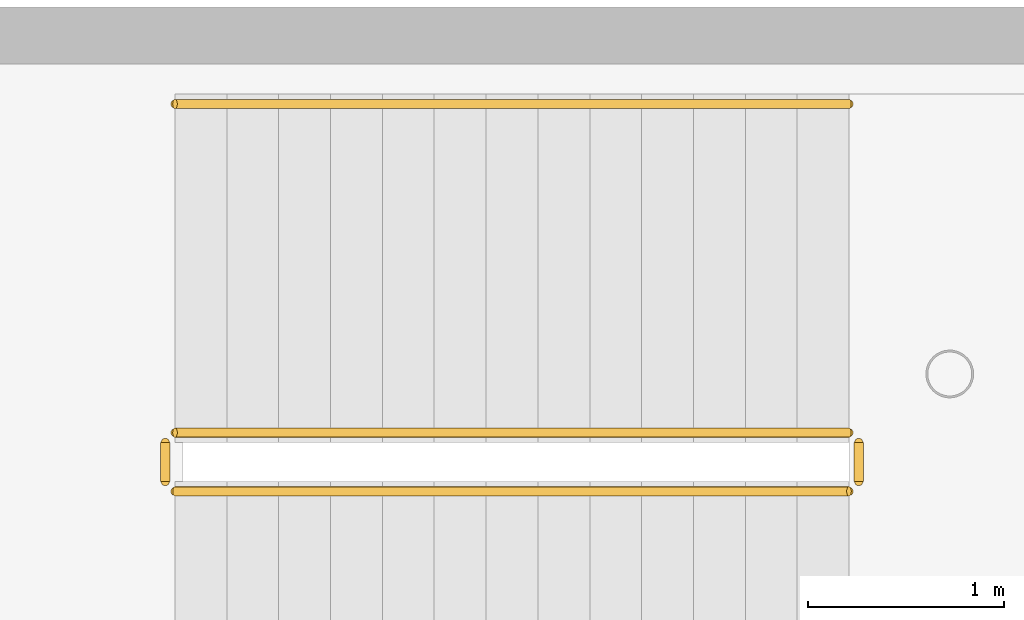
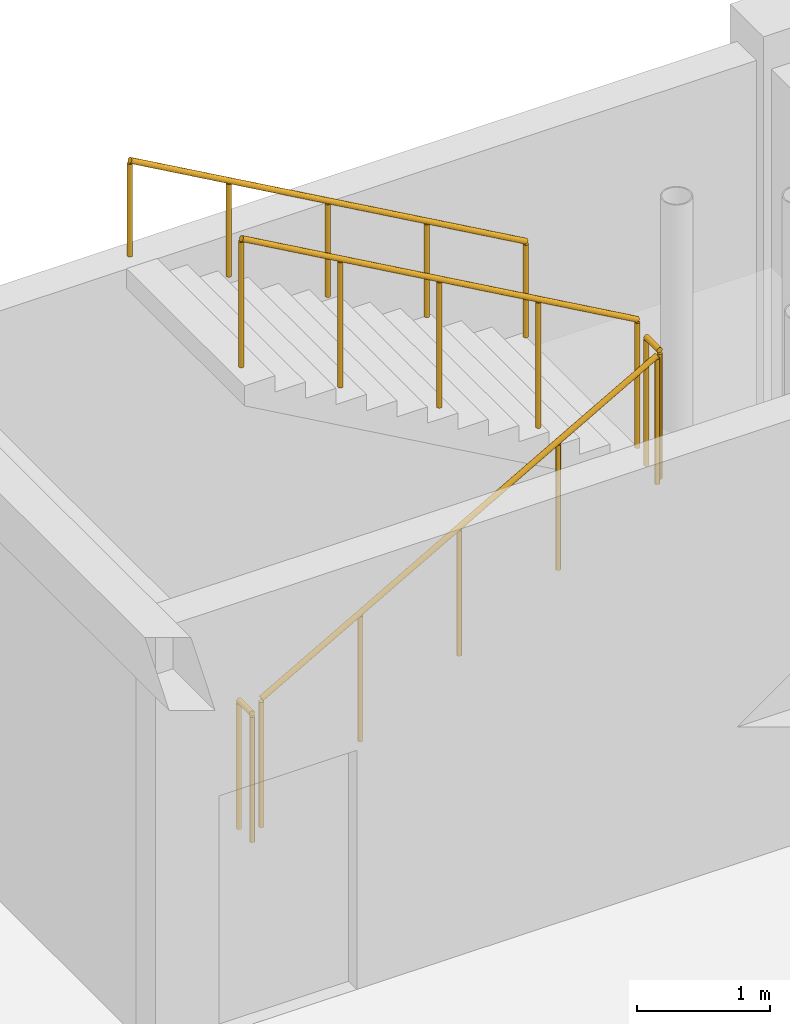
# One storey, part 115 of 121: 5 railings.
"""IFC4 building model written with IfcOpenShell, lengths in metres."""

from ifc_helpers import new_model, si_unit, direction, frame, origin, origin_2d, place, context, subcontext, project, spatial, circle, extrude, material, type_object, element, save


model = new_model("IFC4")

# Units and contexts
model_context = context("Model", 3, precision=1e-05, world=origin(), true_north=direction((0.0, 1.0)))
body_context = subcontext(model_context, "Body", "Model", "MODEL_VIEW")
ifc_project = project(units=[si_unit("LENGTHUNIT", "METRE"), si_unit("AREAUNIT", "SQUARE_METRE"), si_unit("VOLUMEUNIT", "CUBIC_METRE"), si_unit("PLANEANGLEUNIT", "RADIAN"), si_unit("MASSUNIT", "GRAM", prefix="KILO")], contexts=[model_context])

# Site, building, storey
site_placement = place(None, origin())
site = spatial("IfcSite", under=ifc_project, at=site_placement, CompositionType="ELEMENT")
building_placement = place(site_placement, origin())
building = spatial("IfcBuilding", under=site, at=building_placement, Name="Kharva Crest Polytechnic", CompositionType="ELEMENT")
storey_placement = place(building_placement, frame((0.0, 0.0, 13.199951171875)))
storey = spatial("IfcBuildingStorey", under=building, at=storey_placement, Name="L03", CompositionType="ELEMENT", Elevation=13.199951171875)

# Railings
ifc_material_1 = material(Name="Anodised aluminium", Category="aluminium")
railing_type_1 = type_object("IfcRailingType", Name="RL-STAIR-GUARD-1200", PredefinedType="GUARDRAIL", material=ifc_material_1)
railing_1_placement = place(storey_placement, frame((58.090087890625, 119.669921875, 0.150146484375)))
element("IfcRailing", 1, at=railing_1_placement, inside=storey, type_object=railing_type_1, Name="L03 ST-03 stair guard 1", PredefinedType="GUARDRAIL", context=body_context, shape_type="SweptSolid", body=[
    extrude(circle(Radius=0.02392578125, at=origin_2d()), frame((0.0, 0.0, 1.17578125), z_axis=(0.870251367514, 0.0, 0.492607914411), x_axis=(0.0, 1.0, 0.0)), (0.0, 0.0, 1.0), 3.95849609375),
    extrude(circle(Radius=0.02099609375, at=origin_2d()), origin(), (0.0, 0.0, 1.0), 1.15185546875),
    extrude(circle(Radius=0.02099609375, at=origin_2d()), frame((0.861328125, 0.0, 0.487548828125)), (0.0, 0.0, 1.0), 1.15185546875),
    extrude(circle(Radius=0.02099609375, at=origin_2d()), frame((1.722412109375, 0.0, 0.97509765625)), (0.0, 0.0, 1.0), 1.15185546875),
    extrude(circle(Radius=0.02099609375, at=origin_2d()), frame((2.58349609375, 0.0, 1.46240234375)), (0.0, 0.0, 1.0), 1.15185546875),
    extrude(circle(Radius=0.02099609375, at=origin_2d()), frame((3.44482421875, 0.0, 1.949951171875)), (0.0, 0.0, 1.0), 1.15185546875),
])
railing_2_placement = place(storey_placement, frame((61.5849609375, 119.719970703125, 2.10009765625)))
element("IfcRailing", 2, at=railing_2_placement, inside=storey, type_object=railing_type_1, Name="L03 ST-03 stair guard 2", PredefinedType="GUARDRAIL", context=body_context, shape_type="SweptSolid", body=[
    extrude(circle(Radius=0.02392578125, at=origin_2d()), frame((0.0, 0.0, 1.17578125), z_axis=(0.0, 1.0, 0.0), x_axis=(-1.0, 0.0, 0.0)), (0.0, 0.0, 1.0), 0.199951171875),
    extrude(circle(Radius=0.02099609375, at=origin_2d()), origin(), (0.0, 0.0, 1.0), 1.15185546875),
    extrude(circle(Radius=0.02099609375, at=origin_2d()), frame((0.0, 0.199951171875, 0.0)), (0.0, 0.0, 1.0), 1.15185546875),
])
railing_3_placement = place(storey_placement, frame((61.534912109375, 119.969970703125, 2.25)))
element("IfcRailing", 3, at=railing_3_placement, inside=storey, type_object=railing_type_1, Name="L03 ST-03 stair guard 3", PredefinedType="GUARDRAIL", context=body_context, shape_type="SweptSolid", body=[
    extrude(circle(Radius=0.02392578125, at=origin_2d()), frame((0.0, 0.0, 1.17578125), z_axis=(-0.870251367514, 0.0, 0.492607914411), x_axis=(0.0, -1.0, 0.0)), (0.0, 0.0, 1.0), 3.95849609375),
    extrude(circle(Radius=0.02099609375, at=origin_2d()), origin(), (0.0, 0.0, 1.0), 1.15185546875),
    extrude(circle(Radius=0.02099609375, at=origin_2d()), frame((-0.861328125, 0.0, 0.487548828125)), (0.0, 0.0, 1.0), 1.15185546875),
    extrude(circle(Radius=0.02099609375, at=origin_2d()), frame((-1.722412109375, 0.0, 0.97509765625)), (0.0, 0.0, 1.0), 1.15185546875),
    extrude(circle(Radius=0.02099609375, at=origin_2d()), frame((-2.58349609375, 0.0, 1.46240234375)), (0.0, 0.0, 1.0), 1.15185546875),
    extrude(circle(Radius=0.02099609375, at=origin_2d()), frame((-3.44482421875, 0.0, 1.949951171875)), (0.0, 0.0, 1.0), 1.15185546875),
])
railing_4_placement = place(storey_placement, frame((58.0400390625, 119.719970703125, 0.0)))
element("IfcRailing", 4, at=railing_4_placement, inside=storey, type_object=railing_type_1, Name="L03 ST-03 stair guard 4", PredefinedType="GUARDRAIL", context=body_context, shape_type="SweptSolid", body=[
    extrude(circle(Radius=0.02392578125, at=origin_2d()), frame((0.0, 0.0, 1.17578125), z_axis=(0.0, 1.0, 0.0), x_axis=(-1.0, 0.0, 0.0)), (0.0, 0.0, 1.0), 0.199951171875),
    extrude(circle(Radius=0.02099609375, at=origin_2d()), origin(), (0.0, 0.0, 1.0), 1.15185546875),
    extrude(circle(Radius=0.02099609375, at=origin_2d()), frame((0.0, 0.199951171875, 0.0)), (0.0, 0.0, 1.0), 1.15185546875),
])
ifc_material_2 = material(Name="Teak timber", Category="wood")
railing_type_2 = type_object("IfcRailingType", Name="RL-STAIR-HAND-900", PredefinedType="HANDRAIL", material=ifc_material_2)
railing_5_placement = place(storey_placement, frame((61.534912109375, 121.64990234375, 2.25)))
element("IfcRailing", 5, at=railing_5_placement, inside=storey, type_object=railing_type_2, Name="L03 ST-03 stair handrail 2", PredefinedType="HANDRAIL", context=body_context, shape_type="SweptSolid", body=[
    extrude(circle(Radius=0.02392578125, at=origin_2d()), frame((0.0, 0.0, 0.8759765625), z_axis=(-0.870251367514, 0.0, 0.492607914411), x_axis=(0.0, -1.0, 0.0)), (0.0, 0.0, 1.0), 3.95849609375),
    extrude(circle(Radius=0.02099609375, at=origin_2d()), origin(), (0.0, 0.0, 1.0), 0.851806640625),
    extrude(circle(Radius=0.02099609375, at=origin_2d()), frame((-0.861328125, 0.0, 0.487548828125)), (0.0, 0.0, 1.0), 0.851806640625),
    extrude(circle(Radius=0.02099609375, at=origin_2d()), frame((-1.722412109375, 0.0, 0.97509765625)), (0.0, 0.0, 1.0), 0.851806640625),
    extrude(circle(Radius=0.02099609375, at=origin_2d()), frame((-2.58349609375, 0.0, 1.46240234375)), (0.0, 0.0, 1.0), 0.851806640625),
    extrude(circle(Radius=0.02099609375, at=origin_2d()), frame((-3.44482421875, 0.0, 1.949951171875)), (0.0, 0.0, 1.0), 0.851806640625),
])

save(model, "model.ifc")
